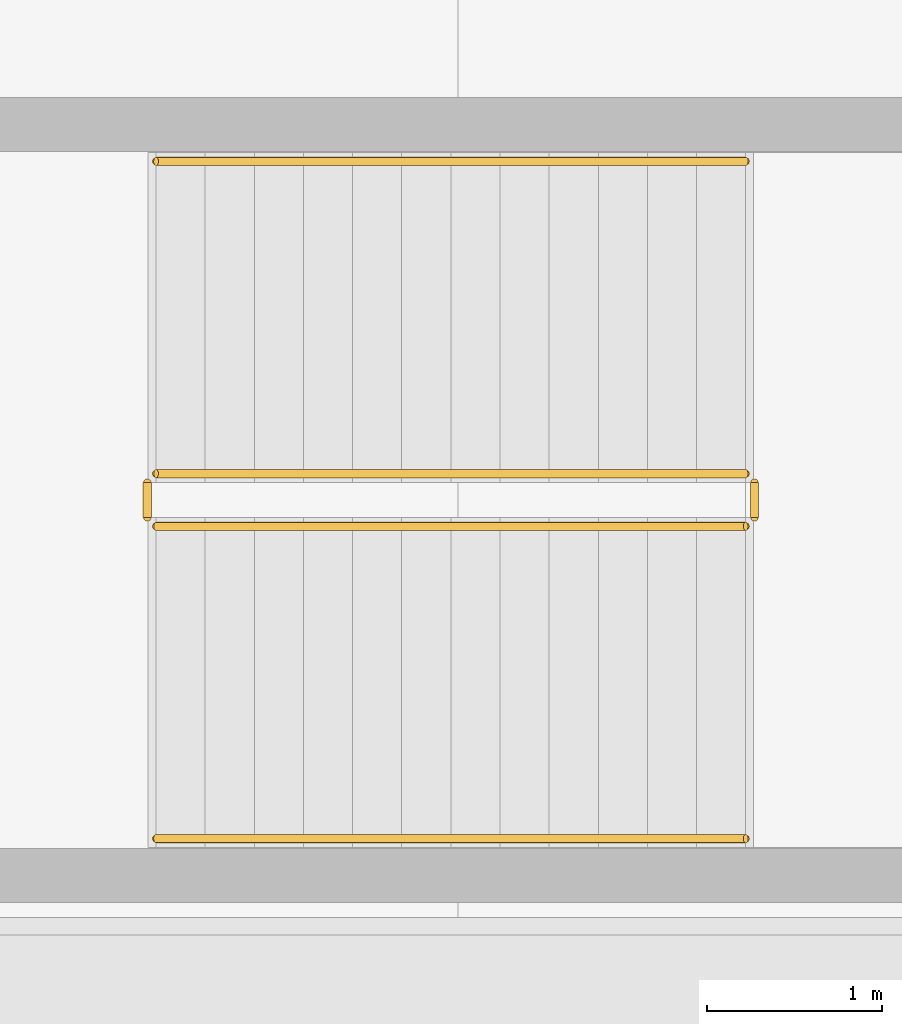
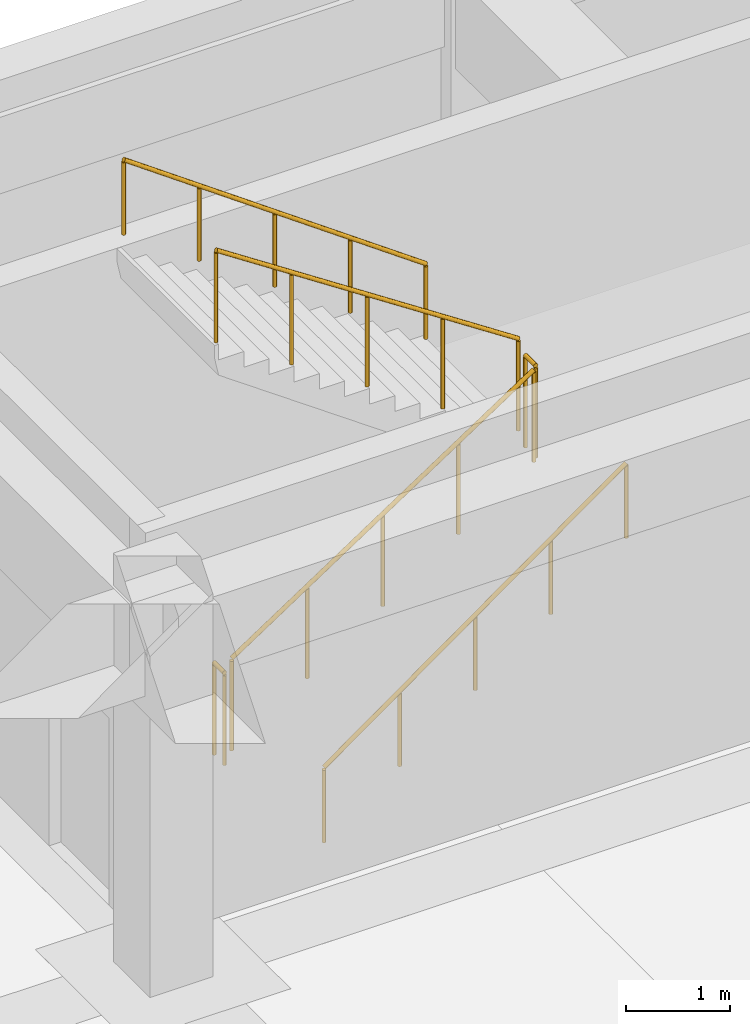
# One storey, part 45 of 48: 6 railings.
"""IFC4 building model written with IfcOpenShell, lengths in metres."""

from ifc_helpers import new_model, si_unit, direction, frame, origin, origin_2d, place, context, subcontext, project, spatial, circle, extrude, material, type_object, element, save


model = new_model("IFC4")

# Units and contexts
model_context = context("Model", 3, precision=1e-05, world=origin(), true_north=direction((0.0, 1.0)))
body_context = subcontext(model_context, "Body", "Model", "MODEL_VIEW")
ifc_project = project(units=[si_unit("LENGTHUNIT", "METRE"), si_unit("AREAUNIT", "SQUARE_METRE"), si_unit("VOLUMEUNIT", "CUBIC_METRE"), si_unit("PLANEANGLEUNIT", "RADIAN"), si_unit("MASSUNIT", "GRAM", prefix="KILO")], contexts=[model_context])

# Site, building, storey
site_placement = place(None, origin())
site = spatial("IfcSite", under=ifc_project, at=site_placement, CompositionType="ELEMENT")
building_placement = place(site_placement, origin())
building = spatial("IfcBuilding", under=site, at=building_placement, Name="Tlacozan Convention Centre", CompositionType="ELEMENT")
storey_placement = place(building_placement, frame((0.0, 0.0, -4.800048828125)))
storey = spatial("IfcBuildingStorey", under=building, at=storey_placement, Name="B01", CompositionType="ELEMENT", Elevation=-4.800048828125)

# Railings
ifc_material = material(Name="Architectural Painted Galvanised Steel Railing", Category="steel")
railing_type_1 = type_object("IfcRailingType", Name="Stair Wall Handrail 900", PredefinedType="HANDRAIL", material=ifc_material)
railing_1_placement = place(storey_placement, frame((82.280029296875, 118.85009765625, 0.1845703125)))
element("IfcRailing", 1, at=railing_1_placement, inside=storey, type_object=railing_type_1, Name="B01 ST-12 stair handrail 1", PredefinedType="HANDRAIL", context=body_context, shape_type="SweptSolid", body=[
    extrude(circle(Radius=0.02392578125, at=origin_2d()), frame((0.0, 0.0, 0.8759765625), z_axis=(0.813705504801, 0.0, 0.581277344696), x_axis=(0.0, 1.0, 0.0)), (0.0, 0.0, 1.0), 4.129150390625),
    extrude(circle(Radius=0.02099609375, at=origin_2d()), origin(), (0.0, 0.0, 1.0), 0.851806640625),
    extrude(circle(Radius=0.02099609375, at=origin_2d()), frame((0.83984375, 0.0, 0.60009765625)), (0.0, 0.0, 1.0), 0.851806640625),
    extrude(circle(Radius=0.02099609375, at=origin_2d()), frame((1.679931640625, 0.0, 1.2001953125)), (0.0, 0.0, 1.0), 0.851806640625),
    extrude(circle(Radius=0.02099609375, at=origin_2d()), frame((2.52001953125, 0.0, 1.800048828125)), (0.0, 0.0, 1.0), 0.851806640625),
    extrude(circle(Radius=0.02099609375, at=origin_2d()), frame((3.35986328125, 0.0, 2.400146484375)), (0.0, 0.0, 1.0), 0.851806640625),
])
railing_2_placement = place(storey_placement, frame((85.639892578125, 122.7099609375, 2.584716796875)))
element("IfcRailing", 2, at=railing_2_placement, inside=storey, type_object=railing_type_1, Name="B01 ST-12 stair handrail 2", PredefinedType="HANDRAIL", context=body_context, shape_type="SweptSolid", body=[
    extrude(circle(Radius=0.02392578125, at=origin_2d()), frame((0.0, 0.0, 0.8759765625), z_axis=(-0.813733471207, 0.0, 0.581238193719), x_axis=(0.0, -1.0, 0.0)), (0.0, 0.0, 1.0), 4.12890625),
    extrude(circle(Radius=0.02099609375, at=origin_2d()), origin(), (0.0, 0.0, 1.0), 0.851806640625),
    extrude(circle(Radius=0.02099609375, at=origin_2d()), frame((-0.83984375, 0.0, 0.60009765625)), (0.0, 0.0, 1.0), 0.851806640625),
    extrude(circle(Radius=0.02099609375, at=origin_2d()), frame((-1.679931640625, 0.0, 1.199951171875)), (0.0, 0.0, 1.0), 0.851806640625),
    extrude(circle(Radius=0.02099609375, at=origin_2d()), frame((-2.52001953125, 0.0, 1.7998046875)), (0.0, 0.0, 1.0), 0.851806640625),
    extrude(circle(Radius=0.02099609375, at=origin_2d()), frame((-3.35986328125, 0.0, 2.39990234375)), (0.0, 0.0, 1.0), 0.851806640625),
])
railing_type_2 = type_object("IfcRailingType", Name="Stair Well Guardrail 1100", PredefinedType="GUARDRAIL", material=ifc_material)
railing_3_placement = place(storey_placement, frame((82.280029296875, 120.6298828125, 0.1845703125)))
element("IfcRailing", 3, at=railing_3_placement, inside=storey, type_object=railing_type_2, Name="B01 ST-12 stair guard 1", PredefinedType="GUARDRAIL", context=body_context, shape_type="SweptSolid", body=[
    extrude(circle(Radius=0.02392578125, at=origin_2d()), frame((0.0, 0.0, 1.076171875), z_axis=(0.83483021737, 0.0, 0.550507500554), x_axis=(0.0, 1.0, 0.0)), (0.0, 0.0, 1.0), 4.024658203125),
    extrude(circle(Radius=0.02099609375, at=origin_2d()), origin(), (0.0, 0.0, 1.0), 1.052001953125),
    extrude(circle(Radius=0.02099609375, at=origin_2d()), frame((0.83984375, 0.0, 0.553955078125)), (0.0, 0.0, 1.0), 1.052001953125),
    extrude(circle(Radius=0.02099609375, at=origin_2d()), frame((1.679931640625, 0.0, 1.10791015625)), (0.0, 0.0, 1.0), 1.052001953125),
    extrude(circle(Radius=0.02099609375, at=origin_2d()), frame((2.52001953125, 0.0, 1.66162109375)), (0.0, 0.0, 1.0), 1.052001953125),
    extrude(circle(Radius=0.02099609375, at=origin_2d()), frame((3.35986328125, 0.0, 2.215576171875)), (0.0, 0.0, 1.0), 1.052001953125),
])
railing_4_placement = place(storey_placement, frame((85.68994140625, 120.679931640625, 2.400146484375)))
element("IfcRailing", 4, at=railing_4_placement, inside=storey, type_object=railing_type_2, Name="B01 ST-12 stair guard 2", PredefinedType="GUARDRAIL", context=body_context, shape_type="SweptSolid", body=[
    extrude(circle(Radius=0.02392578125, at=origin_2d()), frame((0.0, 0.0, 1.076171875), z_axis=(0.0, 1.0, 0.0), x_axis=(-1.0, 0.0, 0.0)), (0.0, 0.0, 1.0), 0.199951171875),
    extrude(circle(Radius=0.02099609375, at=origin_2d()), origin(), (0.0, 0.0, 1.0), 1.052001953125),
    extrude(circle(Radius=0.02099609375, at=origin_2d()), frame((0.0, 0.199951171875, 0.0)), (0.0, 0.0, 1.0), 1.052001953125),
])
railing_5_placement = place(storey_placement, frame((85.639892578125, 120.929931640625, 2.584716796875)))
element("IfcRailing", 5, at=railing_5_placement, inside=storey, type_object=railing_type_2, Name="B01 ST-12 stair guard 3", PredefinedType="GUARDRAIL", context=body_context, shape_type="SweptSolid", body=[
    extrude(circle(Radius=0.02392578125, at=origin_2d()), frame((0.0, 0.0, 1.076171875), z_axis=(-0.834858096282, 0.0, 0.550465220583), x_axis=(0.0, -1.0, 0.0)), (0.0, 0.0, 1.0), 4.0244140625),
    extrude(circle(Radius=0.02099609375, at=origin_2d()), origin(), (0.0, 0.0, 1.0), 1.052001953125),
    extrude(circle(Radius=0.02099609375, at=origin_2d()), frame((-0.83984375, 0.0, 0.5537109375)), (0.0, 0.0, 1.0), 1.052001953125),
    extrude(circle(Radius=0.02099609375, at=origin_2d()), frame((-1.679931640625, 0.0, 1.107666015625)), (0.0, 0.0, 1.0), 1.052001953125),
    extrude(circle(Radius=0.02099609375, at=origin_2d()), frame((-2.52001953125, 0.0, 1.66162109375)), (0.0, 0.0, 1.0), 1.052001953125),
    extrude(circle(Radius=0.02099609375, at=origin_2d()), frame((-3.35986328125, 0.0, 2.21533203125)), (0.0, 0.0, 1.0), 1.052001953125),
])
railing_6_placement = place(storey_placement, frame((82.22998046875, 120.679931640625, 0.0)))
element("IfcRailing", 6, at=railing_6_placement, inside=storey, type_object=railing_type_2, Name="B01 ST-12 stair guard 4", PredefinedType="GUARDRAIL", context=body_context, shape_type="SweptSolid", body=[
    extrude(circle(Radius=0.02392578125, at=origin_2d()), frame((0.0, 0.0, 1.076171875), z_axis=(0.0, 1.0, 0.0), x_axis=(-1.0, 0.0, 0.0)), (0.0, 0.0, 1.0), 0.199951171875),
    extrude(circle(Radius=0.02099609375, at=origin_2d()), origin(), (0.0, 0.0, 1.0), 1.052001953125),
    extrude(circle(Radius=0.02099609375, at=origin_2d()), frame((0.0, 0.199951171875, 0.0)), (0.0, 0.0, 1.0), 1.052001953125),
])

save(model, "model.ifc")
